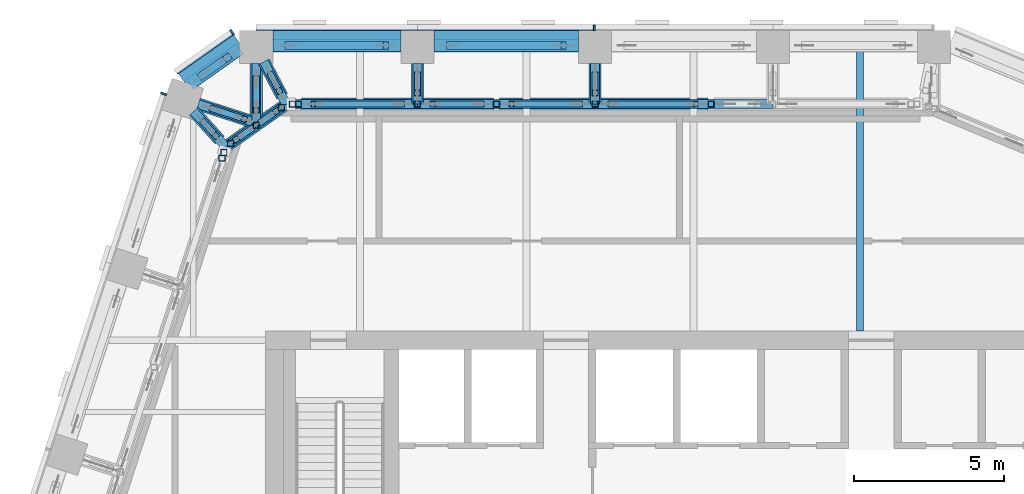
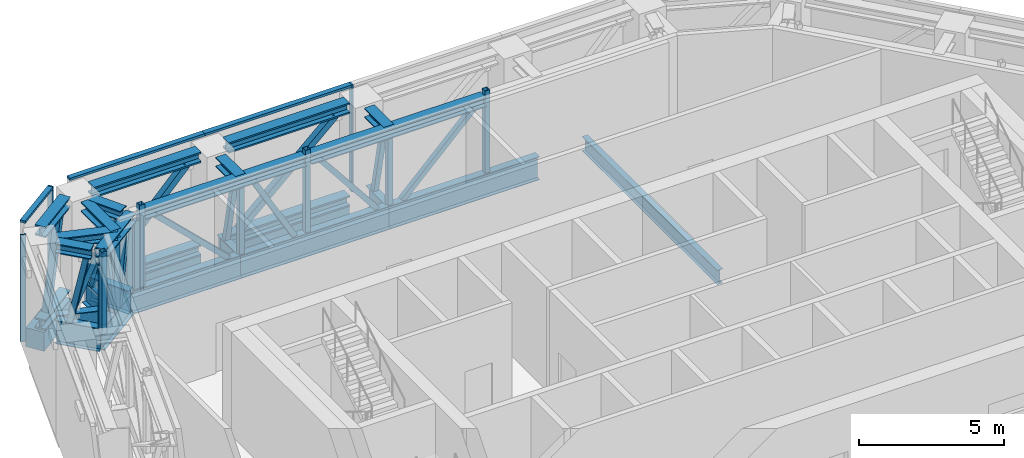
# One storey, part 12 of 25: 57 members, 4 beams, 3 elements without a shape of their own.
"""IFC4 building model written with IfcOpenShell, lengths in metres."""

import ifcopenshell
import ifcopenshell.guid

model = None  # the IFC model being written
_history = None  # IfcOwnerHistory: only IFC2X3 demands one
_inside = {}  # id of a spatial element -> (the spatial element, [elements in it])
_under = {}  # id of a project, library or spatial element -> (it, [spatial elements below it])
_declared = {}  # id of a project -> (the project, [libraries it declares])
_typed = {}  # id of a type object -> (the type object, [elements of that type])
_made_of = {}  # id of a material, layer set ... -> (it, [elements and type objects made of it])


def new_model(schema):
    """Start an empty IFC model of exactly this schema.

    Asked for "IFC4X3", IfcOpenShell would pick the latest addendum, in which some entities
    have other attributes; the version numbers below select the first issue.
    IFC2X3 requires an IfcOwnerHistory on every rooted entity: one is made here for all.
    """
    global model, _history
    if schema == "IFC4X3":
        model = ifcopenshell.file(schema_version=(4, 3, 0, 0))
    else:
        model = ifcopenshell.file(schema=schema)
    _inside.clear()
    _under.clear()
    _declared.clear()
    _typed.clear()
    _made_of.clear()
    _history = None
    if model.schema == "IFC2X3":
        org = make("IfcOrganization", Name="unknown")
        user = make(
            "IfcPersonAndOrganization",
            ThePerson=make("IfcPerson", FamilyName="unknown"),
            TheOrganization=org,
        )
        app = make(
            "IfcApplication",
            ApplicationDeveloper=org,
            Version="unknown",
            ApplicationFullName="unknown",
            ApplicationIdentifier="unknown",
        )
        _history = make(
            "IfcOwnerHistory",
            OwningUser=user,
            OwningApplication=app,
            ChangeAction="ADDED",
            CreationDate=0,
        )
    return model


def make(cls, **values):
    """One entity of the class cls with the attributes given. An attribute that is None is left unset."""
    return model.create_entity(
        cls, **{name: value for name, value in values.items() if value is not None}
    )


def rooted(cls, **values):
    """An entity with a GlobalId (a new one), such as an element, a storey or a relation."""
    return make(cls, GlobalId=ifcopenshell.guid.new(), OwnerHistory=_history, **values)


def si_unit(unit_type, name, prefix=None):
    """IfcSIUnit, for example si_unit("LENGTHUNIT", "METRE", prefix="MILLI")."""
    return make("IfcSIUnit", UnitType=unit_type, Prefix=prefix, Name=name)


def assignment(units):
    """IfcUnitAssignment: the units of a project."""
    return None if units is None else make("IfcUnitAssignment", Units=units)


def point(xyz):
    """IfcCartesianPoint."""
    return None if xyz is None else make("IfcCartesianPoint", Coordinates=xyz)


def direction(xyz):
    """IfcDirection."""
    return None if xyz is None else make("IfcDirection", DirectionRatios=xyz)


def frame(location, z_axis=None, x_axis=None):
    """IfcAxis2Placement3D, a coordinate frame: its origin and axes. An axis left out is left unset."""
    return make(
        "IfcAxis2Placement3D",
        Location=point(location),
        Axis=direction(z_axis),
        RefDirection=direction(x_axis),
    )


def frame_2d(location, x_axis=None):
    """IfcAxis2Placement2D, a coordinate frame in the plane: its origin and x axis."""
    return make(
        "IfcAxis2Placement2D", Location=point(location), RefDirection=direction(x_axis)
    )


def origin():
    """The frame at (0, 0, 0) with its axes left unset."""
    return frame((0.0, 0.0, 0.0))


def origin_2d():
    """The frame at (0, 0) in the plane with its x axis left unset."""
    return frame_2d((0.0, 0.0))


def place(relative_to, where):
    """IfcLocalPlacement: puts the frame where relative to a parent placement (None: the world)."""
    return make(
        "IfcLocalPlacement", PlacementRelTo=relative_to, RelativePlacement=where
    )


def context(
    kind, dimensions, precision=None, world=None, true_north=None, identifier=None
):
    """IfcGeometricRepresentationContext, for example the 3D "Model" context."""
    return make(
        "IfcGeometricRepresentationContext",
        ContextIdentifier=identifier,
        ContextType=kind,
        CoordinateSpaceDimension=dimensions,
        Precision=precision,
        WorldCoordinateSystem=world,
        TrueNorth=true_north,
    )


def subcontext(parent, identifier, kind, view, scale=None):
    """IfcGeometricRepresentationSubContext, for example "Body" below "Model"."""
    return make(
        "IfcGeometricRepresentationSubContext",
        ContextIdentifier=identifier,
        ContextType=kind,
        ParentContext=parent,
        TargetScale=scale,
        TargetView=view,
    )


def project(units=None, contexts=None):
    """IfcProject with its units and contexts."""
    return rooted(
        "IfcProject",
        Name="project",
        RepresentationContexts=contexts,
        UnitsInContext=assignment(units),
    )


def spatial(cls, under=None, at=None, **own):
    """A site, building, storey or space (cls), placed at a placement, below another one or the project."""
    s = rooted(cls, ObjectPlacement=at, **own)
    if under is not None:
        _under.setdefault(under.id(), (under, []))[1].append(s)
    return s


def profile(cls, at=None, kind="AREA", **sizes):
    """A parametric profile (cls). Its sizes go by their IFC names, for example OverallWidth=200.0."""
    return make(cls, ProfileType=kind, Position=at, **sizes)


def rectangle(**sizes):
    """IfcRectangleProfileDef."""
    return profile("IfcRectangleProfileDef", **sizes)


def hollow_rectangle(**sizes):
    """IfcRectangleHollowProfileDef."""
    return profile("IfcRectangleHollowProfileDef", **sizes)


def i_section(**sizes):
    """IfcIShapeProfileDef."""
    return profile("IfcIShapeProfileDef", **sizes)


def extrude(swept, where, along, depth):
    """IfcExtrudedAreaSolid: the profile swept, set in the frame where, extruded along a direction by depth."""
    return make(
        "IfcExtrudedAreaSolid",
        SweptArea=swept,
        Position=where,
        ExtrudedDirection=direction(along),
        Depth=depth,
    )


def shape(context_of_items, identifier, shape_type, items):
    """IfcShapeRepresentation: the items that make up one representation, for example the "Body"."""
    return make(
        "IfcShapeRepresentation",
        ContextOfItems=context_of_items,
        RepresentationIdentifier=identifier,
        RepresentationType=shape_type,
        Items=items,
    )


def material(Name=None, Category=None):
    """IfcMaterial."""
    return make("IfcMaterial", Name=Name, Category=Category)


def layer(
    of_material, thickness, ventilated=None, Name=None, Category=None, Priority=None
):
    """IfcMaterialLayer: one layer of a wall or slab, of a material (None: an air gap)."""
    return make(
        "IfcMaterialLayer",
        Material=of_material,
        LayerThickness=thickness,
        IsVentilated=ventilated,
        Name=Name,
        Category=Category,
        Priority=Priority,
    )


def layer_set(layers, Name=None):
    """IfcMaterialLayerSet."""
    return make("IfcMaterialLayerSet", MaterialLayers=layers, LayerSetName=Name)


def material_profile(
    of_material, cross_section, Name=None, Category=None, Priority=None
):
    """IfcMaterialProfile: a cross section and its material."""
    return make(
        "IfcMaterialProfile",
        Name=Name,
        Material=of_material,
        Profile=cross_section,
        Priority=Priority,
        Category=Category,
    )


def profile_set(profiles, Name=None, composite=None):
    """IfcMaterialProfileSet."""
    return make(
        "IfcMaterialProfileSet",
        Name=Name,
        MaterialProfiles=profiles,
        CompositeProfile=composite,
    )


def made_of(thing, what):
    """Note that an element or type object is made of a material, layer set ...; save() writes the relation."""
    if what is not None:
        _made_of.setdefault(what.id(), (what, []))[1].append(thing)
    return thing


def type_object(cls, material=None, **own):
    """A type object (cls), such as IfcWallType, which elements share."""
    return made_of(rooted(cls, **own), material)


def element(
    cls,
    number,
    at=None,
    inside=None,
    cuts=None,
    type_object=None,
    material=None,
    context=None,
    identifier="Body",
    shape_type=None,
    held_by="IfcProductDefinitionShape",
    body=None,
    shapes=None,
    **own,
):
    """One element of the class cls, such as IfcWall. Its Tag is "e" and its number.

    at: its placement. inside: the storey or other place that contains it. cuts: it is an
    opening in that element (IfcRelVoidsElement). A single representation is given by context,
    identifier, shape_type and body (its items); several are given by shapes. held_by: the class
    of the entity that holds the representations. save() writes the other relations.
    """
    e = rooted(cls, Tag="e%d" % number, ObjectPlacement=at, **own)
    if body is not None:
        shapes = [shape(context, identifier, shape_type, body)]
    if shapes is not None:
        e.Representation = make(held_by, Representations=shapes)
    if inside is not None:
        _inside.setdefault(inside.id(), (inside, []))[1].append(e)
    if cuts is not None:
        rooted(
            "IfcRelVoidsElement", RelatingBuildingElement=cuts, RelatedOpeningElement=e
        )
    if type_object is not None:
        _typed.setdefault(type_object.id(), (type_object, []))[1].append(e)
    return made_of(e, material)


def aggregate(whole, parts):
    """IfcRelAggregates: a whole, such as a stair, and the parts it consists of."""
    return rooted("IfcRelAggregates", RelatingObject=whole, RelatedObjects=parts)


def save(model, path):
    """Write the relations noted so far, then the file.

    IfcRelAggregates (storeys below a building ...), IfcRelContainedInSpatialStructure (elements
    in a storey), IfcRelDefinesByType, IfcRelAssociatesMaterial and IfcRelDeclares: one each for
    every whole, place, type object, material and project.
    """
    for whole, parts in _under.values():
        aggregate(whole, parts)
    for where, things in _inside.values():
        rooted(
            "IfcRelContainedInSpatialStructure",
            RelatedElements=things,
            RelatingStructure=where,
        )
    for kind, things in _typed.values():
        rooted("IfcRelDefinesByType", RelatedObjects=things, RelatingType=kind)
    for what, things in _made_of.values():
        rooted("IfcRelAssociatesMaterial", RelatedObjects=things, RelatingMaterial=what)
    for by, libraries in _declared.values():
        rooted("IfcRelDeclares", RelatingContext=by, RelatedDefinitions=libraries)
    model.write(path)


model = new_model("IFC4")

# Units and contexts
model_context = context("Model", 3, precision=1e-05, world=origin(), true_north=direction((0.0, 1.0)))
body_context = subcontext(model_context, "Body", "Model", "MODEL_VIEW")
ifc_project = project(units=[si_unit("LENGTHUNIT", "METRE"), si_unit("AREAUNIT", "SQUARE_METRE"), si_unit("VOLUMEUNIT", "CUBIC_METRE"), si_unit("PLANEANGLEUNIT", "RADIAN"), si_unit("MASSUNIT", "GRAM", prefix="KILO")], contexts=[model_context])

# Site, building, storey
site_placement = place(None, origin())
site = spatial("IfcSite", under=ifc_project, at=site_placement, CompositionType="ELEMENT")
building_placement = place(site_placement, origin())
building = spatial("IfcBuilding", under=site, at=building_placement, Name="Isthmus Gate Tower", CompositionType="ELEMENT")
storey_placement = place(building_placement, frame((0.0, 0.0, 256.449951171875)))
storey = spatial("IfcBuildingStorey", under=building, at=storey_placement, Name="L65", CompositionType="ELEMENT", Elevation=256.449951171875)

# Members
ifc_material_1 = material(Name="Structural steel ASTM A913 Gr 65", Category="steel")
ifc_material_profile_1 = material_profile(ifc_material_1, i_section(OverallWidth=0.416015625, OverallDepth=0.444580078125, WebThickness=0.039794921875, FlangeThickness=0.0634765625, at=origin_2d()), Name="W14X342")
ifc_profile_set_1 = profile_set([ifc_material_profile_1], Name="Structural steel ASTM A913 Gr 65")
member_type_1 = type_object("IfcMemberType", Name="BELT TRUSS CHORD W14X342", PredefinedType="CHORD", material=ifc_profile_set_1)
for number, where, z_axis, x_axis, name in (
    (1, (-17.509765625, 23.221923828125, 0.222412109375), (0.817877769394, 0.575392000579, 0.0), (-0.575392000579, 0.817877769394, 0.0), "str-belt25-L65-01"),
    (2, (-17.509765625, 23.221923828125, 4.127685546875), (0.817877769394, 0.575392000579, 0.0), (-0.575392000579, 0.817877769394, 0.0), "str-belt25-L65-02"),
):
    element("IfcMember", number, at=place(storey_placement, frame(where, z_axis=z_axis, x_axis=x_axis)), inside=storey, type_object=member_type_1, Name=name, PredefinedType="CHORD", context=body_context, shape_type="SweptSolid", body=[
        extrude(i_section(OverallWidth=0.416015625, OverallDepth=0.444580078125, WebThickness=0.039794921875, FlangeThickness=0.0634765625, at=origin_2d()), origin(), (0.0, 0.0, 1.0), 2.02783203125),
    ])
for number, where, z_axis, x_axis, name in (
    (3, (-14.751220703125, 24.5, 0.222412109375), (1.0, 0.0, 0.0), (0.0, 1.0, 0.0), "str-belt26-L65-01"),
    (4, (-14.751220703125, 24.5, 4.127685546875), (1.0, 0.0, 0.0), (0.0, 1.0, 0.0), "str-belt26-L65-02"),
):
    element("IfcMember", number, at=place(storey_placement, frame(where, z_axis=z_axis, x_axis=x_axis)), inside=storey, type_object=member_type_1, Name=name, PredefinedType="CHORD", context=body_context, shape_type="SweptSolid", body=[
        extrude(i_section(OverallWidth=0.416015625, OverallDepth=0.444580078125, WebThickness=0.039794921875, FlangeThickness=0.0634765625, at=origin_2d()), origin(), (0.0, 0.0, 1.0), 4.260498046875),
    ])
for number, where, z_axis, x_axis, name in (
    (5, (-9.390625, 24.5, 0.222412109375), (1.0, 0.0, 0.0), (0.0, 1.0, 0.0), "str-belt27-L65-01"),
    (6, (-9.390625, 24.5, 4.127685546875), (1.0, 0.0, 0.0), (0.0, 1.0, 0.0), "str-belt27-L65-02"),
):
    element("IfcMember", number, at=place(storey_placement, frame(where, z_axis=z_axis, x_axis=x_axis)), inside=storey, type_object=member_type_1, Name=name, PredefinedType="CHORD", context=body_context, shape_type="SweptSolid", body=[
        extrude(i_section(OverallWidth=0.416015625, OverallDepth=0.444580078125, WebThickness=0.039794921875, FlangeThickness=0.0634765625, at=origin_2d()), origin(), (0.0, 0.0, 1.0), 4.810546875),
    ])

# Curtain wall, member
ifc_material_2 = material(Name="Aluminium, pale champagne anodised", Category="aluminium")
ifc_layer = layer(ifc_material_2, 0.199951171875)
ifc_layer_set = layer_set([ifc_layer], Name="CW-2 LOUVRE CURTAIN WALL 200 DEEP")
curtain_wall_type = type_object("IfcCurtainWallType", Name="CW-2 LOUVRE CURTAIN WALL 200 DEEP", PredefinedType="NOTDEFINED", material=ifc_layer_set)
curtain_wall_1_placement = place(storey_placement, origin())
curtain_wall_1 = element("IfcCurtainWall", 7, at=curtain_wall_1_placement, inside=storey, type_object=curtain_wall_type, Name="CW-2 N L65", PredefinedType="NOTDEFINED")
ifc_material_3 = material(Name="Aluminium, pale champagne anodised", Category="aluminium")
ifc_material_profile_2 = material_profile(ifc_material_3, rectangle(XDim=0.06005859375, YDim=0.199951171875, at=origin_2d()), Name="60x200")
ifc_profile_set_2 = profile_set([ifc_material_profile_2], Name="Aluminium, pale champagne anodised")
member_type_2 = type_object("IfcMemberType", Name="CW-2 MULLION 60 X 200", PredefinedType="MULLION", material=ifc_profile_set_2)
member_1_placement = place(storey_placement, frame((-4.06005859375, 25.10009765625, 0.0), z_axis=(0.0, 0.0, 1.0), x_axis=(-1.0, 0.0, 0.0)))
member_1 = element("IfcMember", 8, at=member_1_placement, type_object=member_type_2, Name="CW-2 mullion", PredefinedType="MULLION", context=body_context, shape_type="SweptSolid", body=[
    extrude(rectangle(XDim=0.06005859375, YDim=0.199951171875, at=origin_2d()), origin(), (0.0, 0.0, 1.0), 4.5),
])

curtain_wall_2_placement = place(storey_placement, origin())
curtain_wall_2 = element("IfcCurtainWall", 9, at=curtain_wall_2_placement, inside=storey, type_object=curtain_wall_type, Name="CW-2 N-NW L65", PredefinedType="NOTDEFINED")
member_2_placement = place(storey_placement, frame((-16.10595703125, 24.943115234375, 0.0), z_axis=(0.0, 0.0, 1.0), x_axis=(-0.81785959165, -0.57541783805, 0.0)))
member_2 = element("IfcMember", 10, at=member_2_placement, type_object=member_type_2, Name="CW-2 mullion", PredefinedType="MULLION", context=body_context, shape_type="SweptSolid", body=[
    extrude(rectangle(XDim=0.06005859375, YDim=0.199951171875, at=origin_2d()), origin(), (0.0, 0.0, 1.0), 4.5),
])

curtain_wall_3_placement = place(storey_placement, origin())
curtain_wall_3 = element("IfcCurtainWall", 11, at=curtain_wall_3_placement, inside=storey, type_object=curtain_wall_type, Name="CW-2 NW L65", PredefinedType="NOTDEFINED")
member_3_placement = place(storey_placement, frame((-18.37841796875, 22.894287109375, 0.0), z_axis=(0.0, 0.0, 1.0), x_axis=(-0.309016994375, -0.951056516295, 0.0)))
member_3 = element("IfcMember", 12, at=member_3_placement, type_object=member_type_2, Name="CW-2 mullion", PredefinedType="MULLION", context=body_context, shape_type="SweptSolid", body=[
    extrude(rectangle(XDim=0.06005859375, YDim=0.199951171875, at=origin_2d()), origin(), (0.0, 0.0, 1.0), 4.5),
])
aggregate(curtain_wall_3, [member_3])

# Member
ifc_material_4 = material(Name="Aluminium, pale champagne anodised", Category="aluminium")
ifc_material_profile_3 = material_profile(ifc_material_4, rectangle(XDim=0.199951171875, YDim=0.10009765625, at=origin_2d()), Name="200x100")
ifc_profile_set_3 = profile_set([ifc_material_profile_3], Name="Aluminium, pale champagne anodised")
member_type_3 = type_object("IfcMemberType", Name="CW-2 TRANSOM 200 X 100", PredefinedType="USERDEFINED", material=ifc_profile_set_3)
member_4_placement = place(storey_placement, frame((-4.090087890625, 25.10009765625, 4.449951171875), z_axis=(-1.0, 0.0, 0.0), x_axis=(0.0, -1.0, 0.0)))
member_4 = element("IfcMember", 13, at=member_4_placement, type_object=member_type_3, Name="CW-2 transom", ObjectType="TRANSOM", PredefinedType="USERDEFINED", context=body_context, shape_type="SweptSolid", body=[
    extrude(rectangle(XDim=0.199951171875, YDim=0.10009765625, at=origin_2d()), origin(), (0.0, 0.0, 1.0), 5.8505859375),
])

member_5_placement = place(storey_placement, frame((-9.940673828125, 25.10009765625, 4.449951171875), z_axis=(-1.0, 0.0, 0.0), x_axis=(0.0, -1.0, 0.0)))
member_5 = element("IfcMember", 14, at=member_5_placement, type_object=member_type_3, Name="CW-2 transom", ObjectType="TRANSOM", PredefinedType="USERDEFINED", context=body_context, shape_type="SweptSolid", body=[
    extrude(rectangle(XDim=0.199951171875, YDim=0.10009765625, at=origin_2d()), origin(), (0.0, 0.0, 1.0), 5.360595703125),
])

aggregate(curtain_wall_1, [member_1, member_4, member_5])

member_6_placement = place(storey_placement, frame((-16.130615234375, 24.92578125, 4.449951171875), z_axis=(-0.817868595604, -0.575405040233, 0.0), x_axis=(0.575405040233, -0.817868595604, 0.0)))
member_6 = element("IfcMember", 15, at=member_6_placement, type_object=member_type_3, Name="CW-2 transom", ObjectType="TRANSOM", PredefinedType="USERDEFINED", context=body_context, shape_type="SweptSolid", body=[
    extrude(rectangle(XDim=0.199951171875, YDim=0.10009765625, at=origin_2d()), origin(), (0.0, 0.0, 1.0), 2.258544921875),
])

aggregate(curtain_wall_2, [member_2, member_6])

# Beams
ifc_material_5 = material(Name="Concrete f'c 50 MPa", Category="concrete")
ifc_material_profile_4 = material_profile(ifc_material_5, rectangle(XDim=0.699951171875, YDim=0.800048828125, at=origin_2d()), Name="RC 700X800")
ifc_profile_set_4 = profile_set([ifc_material_profile_4], Name="Concrete f'c 50 MPa")
beam_type_1 = type_object("IfcBeamType", Name="RC SPANDREL 700 X 800", PredefinedType="SPANDREL", material=ifc_profile_set_4)
beam_1_placement = place(storey_placement, frame((-17.68798828125, 23.27978515625, -0.39990234375), z_axis=(0.817855686701, 0.575423388237, 0.0), x_axis=(-0.575423388237, 0.817855686701, 0.0)))
element("IfcBeam", 16, at=beam_1_placement, inside=storey, type_object=beam_type_1, Name="str-spandrel-L65-25", PredefinedType="SPANDREL", context=body_context, shape_type="SweptSolid", body=[
    extrude(rectangle(XDim=0.699951171875, YDim=0.800048828125, at=origin_2d()), origin(), (0.0, 0.0, 1.0), 2.24560546875),
])
beam_2_placement = place(storey_placement, frame((-14.751220703125, 24.64990234375, -0.39990234375), z_axis=(1.0, 0.0, 0.0), x_axis=(0.0, 1.0, 0.0)))
element("IfcBeam", 17, at=beam_2_placement, inside=storey, type_object=beam_type_1, Name="str-spandrel-L65-26", PredefinedType="SPANDREL", context=body_context, shape_type="SweptSolid", body=[
    extrude(rectangle(XDim=0.699951171875, YDim=0.800048828125, at=origin_2d()), origin(), (0.0, 0.0, 1.0), 4.260498046875),
])
beam_3_placement = place(storey_placement, frame((-9.390625, 24.64990234375, -0.39990234375), z_axis=(1.0, 0.0, 0.0), x_axis=(0.0, 1.0, 0.0)))
element("IfcBeam", 18, at=beam_3_placement, inside=storey, type_object=beam_type_1, Name="str-spandrel-L65-27", PredefinedType="SPANDREL", context=body_context, shape_type="SweptSolid", body=[
    extrude(rectangle(XDim=0.699951171875, YDim=0.800048828125, at=origin_2d()), origin(), (0.0, 0.0, 1.0), 4.810546875),
])
ifc_material_6 = material(Name="Structural steel ASTM A992 Gr 50", Category="steel")
ifc_material_profile_5 = material_profile(ifc_material_6, i_section(OverallWidth=0.228515625, OverallDepth=0.603271484375, WebThickness=0.010986328125, FlangeThickness=0.014404296875, at=origin_2d()), Name="W24X68")
ifc_profile_set_5 = profile_set([ifc_material_profile_5], Name="Structural steel ASTM A992 Gr 50")
beam_type_2 = type_object("IfcBeamType", Name="STEEL FLOOR BEAM W24X68", PredefinedType="JOIST", material=ifc_profile_set_5)
beam_4_placement = place(storey_placement, frame((4.776611328125, 15.0, -0.6015625), z_axis=(0.0, 1.0, 0.0), x_axis=(-1.0, 0.0, 0.0)))
element("IfcBeam", 19, at=beam_4_placement, inside=storey, type_object=beam_type_2, Name="str-beam-L65-05-04", PredefinedType="JOIST", context=body_context, shape_type="SweptSolid", body=[
    extrude(i_section(OverallWidth=0.228515625, OverallDepth=0.603271484375, WebThickness=0.010986328125, FlangeThickness=0.014404296875, at=origin_2d()), origin(), (0.0, 0.0, 1.0), 9.300048828125),
])

# Members
ifc_material_7 = material(Name="Structural steel ASTM A913 Gr 65", Category="steel")
ifc_material_profile_6 = material_profile(ifc_material_7, i_section(OverallWidth=0.4033203125, OverallDepth=0.406494140625, WebThickness=0.027099609375, FlangeThickness=0.04443359375, at=origin_2d()), Name="W14X233")
ifc_profile_set_6 = profile_set([ifc_material_profile_6], Name="Structural steel ASTM A913 Gr 65")
member_type_4 = type_object("IfcMemberType", Name="TRANSFER TRUSS CHORD W14X233", PredefinedType="CHORD", material=ifc_profile_set_6)
member_7_placement = place(storey_placement, frame((-16.3154296875, 21.13330078125, 4.046875), z_axis=(0.81785999778, 0.575417260805, 0.0), x_axis=(-0.575417260805, 0.81785999778, 0.0)))
element("IfcMember", 20, at=member_7_placement, inside=storey, type_object=member_type_4, Name="str-ring10-L65-05", PredefinedType="CHORD", context=body_context, shape_type="SweptSolid", body=[
    extrude(i_section(OverallWidth=0.4033203125, OverallDepth=0.406494140625, WebThickness=0.027099609375, FlangeThickness=0.04443359375, at=origin_2d()), origin(), (0.0, 0.0, 1.0), 2.462158203125),
])
member_8_placement = place(storey_placement, frame((-13.800048828125, 22.550048828125, 4.046875), z_axis=(1.0, 0.0, 0.0), x_axis=(0.0, 1.0, 0.0)))
element("IfcMember", 21, at=member_8_placement, inside=storey, type_object=member_type_4, Name="str-ring11-L65-15", PredefinedType="CHORD", context=body_context, shape_type="SweptSolid", body=[
    extrude(i_section(OverallWidth=0.4033203125, OverallDepth=0.406494140625, WebThickness=0.027099609375, FlangeThickness=0.04443359375, at=origin_2d()), origin(), (0.0, 0.0, 1.0), 6.388671875),
])
member_9_placement = place(storey_placement, frame((-7.2080078125, 22.550048828125, 4.046875), z_axis=(1.0, 0.0, 0.0), x_axis=(0.0, 1.0, 0.0)))
element("IfcMember", 22, at=member_9_placement, inside=storey, type_object=member_type_4, Name="str-ring11-L65-16", PredefinedType="CHORD", context=body_context, shape_type="SweptSolid", body=[
    extrude(i_section(OverallWidth=0.4033203125, OverallDepth=0.406494140625, WebThickness=0.027099609375, FlangeThickness=0.04443359375, at=origin_2d()), origin(), (0.0, 0.0, 1.0), 6.931640625),
])
for number, where, z_axis, x_axis, name in (
    (23, (-4.030029296875, 23.89990234375, 4.046875), (0.0, -1.0, 0.0), (1.0, 0.0, 0.0), "str-link02-L65-02"),
    (24, (-9.940673828125, 23.89990234375, 4.046875), (0.0, -1.0, 0.0), (1.0, 0.0, 0.0), "str-link03-L65-02"),
):
    element("IfcMember", number, at=place(storey_placement, frame(where, z_axis=z_axis, x_axis=x_axis)), inside=storey, type_object=member_type_4, Name=name, PredefinedType="CHORD", context=body_context, shape_type="SweptSolid", body=[
        extrude(i_section(OverallWidth=0.4033203125, OverallDepth=0.406494140625, WebThickness=0.027099609375, FlangeThickness=0.04443359375, at=origin_2d()), origin(), (0.0, 0.0, 1.0), 1.349853515625),
    ])
member_10_placement = place(storey_placement, frame((-15.30126953125, 23.89990234375, 4.046875), z_axis=(0.0, -1.0, 0.0), x_axis=(1.0, 0.0, 0.0)))
element("IfcMember", 25, at=member_10_placement, inside=storey, type_object=member_type_4, Name="str-link04-L65-02", PredefinedType="CHORD", context=body_context, shape_type="SweptSolid", body=[
    extrude(i_section(OverallWidth=0.4033203125, OverallDepth=0.406494140625, WebThickness=0.027099609375, FlangeThickness=0.04443359375, at=origin_2d()), origin(), (0.0, 0.0, 1.0), 2.05322265625),
])
member_11_placement = place(storey_placement, frame((-17.22802734375, 22.552001953125, 4.046875), z_axis=(0.951043435803, -0.309057249091, 0.0), x_axis=(0.309057249091, 0.951043435803, 0.0)))
element("IfcMember", 26, at=member_11_placement, inside=storey, type_object=member_type_4, Name="str-link05-L65-02", PredefinedType="CHORD", context=body_context, shape_type="SweptSolid", body=[
    extrude(i_section(OverallWidth=0.4033203125, OverallDepth=0.406494140625, WebThickness=0.027099609375, FlangeThickness=0.04443359375, at=origin_2d()), origin(), (0.0, 0.0, 1.0), 2.106689453125),
])
member_12_placement = place(storey_placement, frame((-17.38232421875, 22.313720703125, 4.046875), z_axis=(0.67054167179, -0.74187186656, 0.0), x_axis=(0.74187186656, 0.67054167179, 0.0)))
element("IfcMember", 27, at=member_12_placement, inside=storey, type_object=member_type_4, Name="str-link40-L65-02", PredefinedType="CHORD", context=body_context, shape_type="SweptSolid", body=[
    extrude(i_section(OverallWidth=0.4033203125, OverallDepth=0.406494140625, WebThickness=0.027099609375, FlangeThickness=0.04443359375, at=origin_2d()), origin(), (0.0, 0.0, 1.0), 1.290283203125),
])
member_13_placement = place(storey_placement, frame((-15.045166015625, 23.963134765625, 4.046875), z_axis=(0.465652887903, -0.884967450242, 0.0), x_axis=(0.884967450242, 0.465652887903, 0.0)))
element("IfcMember", 28, at=member_13_placement, inside=storey, type_object=member_type_4, Name="str-link41-L65-02", PredefinedType="CHORD", context=body_context, shape_type="SweptSolid", body=[
    extrude(i_section(OverallWidth=0.4033203125, OverallDepth=0.406494140625, WebThickness=0.027099609375, FlangeThickness=0.04443359375, at=origin_2d()), origin(), (0.0, 0.0, 1.0), 1.290771484375),
])
ifc_material_8 = material(Name="Structural steel ASTM A913 Gr 65", Category="steel")
ifc_material_profile_7 = material_profile(ifc_material_8, i_section(OverallWidth=0.29833984375, OverallDepth=0.981201171875, WebThickness=0.015869140625, FlangeThickness=0.025390625, at=origin_2d()), Name="W40X167")
ifc_profile_set_7 = profile_set([ifc_material_profile_7], Name="Structural steel ASTM A913 Gr 65")
member_type_5 = type_object("IfcMemberType", Name="TRANSFER TRUSS CHORD W40X167", PredefinedType="CHORD", material=ifc_profile_set_7)
member_14_placement = place(storey_placement, frame((-16.3154296875, 21.13330078125, 0.490478515625), z_axis=(0.81785999778, 0.575417260805, 0.0), x_axis=(-0.575417260805, 0.81785999778, 0.0)))
element("IfcMember", 29, at=member_14_placement, inside=storey, type_object=member_type_5, Name="str-ring10-L65-04", PredefinedType="CHORD", context=body_context, shape_type="SweptSolid", body=[
    extrude(i_section(OverallWidth=0.29833984375, OverallDepth=0.981201171875, WebThickness=0.015869140625, FlangeThickness=0.025390625, at=origin_2d()), origin(), (0.0, 0.0, 1.0), 2.462158203125),
])
member_15_placement = place(storey_placement, frame((-14.3017578125, 22.550048828125, 0.490478515625), z_axis=(1.0, 0.0, 0.0), x_axis=(0.0, 1.0, 0.0)))
element("IfcMember", 30, at=member_15_placement, inside=storey, type_object=member_type_5, Name="str-ring11-L65-10", PredefinedType="CHORD", context=body_context, shape_type="SweptSolid", body=[
    extrude(i_section(OverallWidth=0.29833984375, OverallDepth=0.981201171875, WebThickness=0.015869140625, FlangeThickness=0.025390625, at=origin_2d()), origin(), (0.0, 0.0, 1.0), 4.361083984375),
])
member_16_placement = place(storey_placement, frame((-9.940673828125, 22.550048828125, 0.490478515625), z_axis=(1.0, 0.0, 0.0), x_axis=(0.0, 1.0, 0.0)))
element("IfcMember", 31, at=member_16_placement, inside=storey, type_object=member_type_5, Name="str-ring11-L65-11", PredefinedType="CHORD", context=body_context, shape_type="SweptSolid", body=[
    extrude(i_section(OverallWidth=0.29833984375, OverallDepth=0.981201171875, WebThickness=0.015869140625, FlangeThickness=0.025390625, at=origin_2d()), origin(), (0.0, 0.0, 1.0), 5.910888671875),
])
member_17_placement = place(storey_placement, frame((-4.02978515625, 22.550048828125, 0.490478515625), z_axis=(1.0, 0.0, 0.0), x_axis=(0.0, 1.0, 0.0)))
element("IfcMember", 32, at=member_17_placement, inside=storey, type_object=member_type_5, Name="str-ring11-L65-12", PredefinedType="CHORD", context=body_context, shape_type="SweptSolid", body=[
    extrude(i_section(OverallWidth=0.29833984375, OverallDepth=0.981201171875, WebThickness=0.015869140625, FlangeThickness=0.025390625, at=origin_2d()), origin(), (0.0, 0.0, 1.0), 5.91015625),
])
for number, where, z_axis, x_axis, name in (
    (33, (-4.030029296875, 23.89990234375, 0.490478515625), (0.0, -1.0, 0.0), (1.0, 0.0, 0.0), "str-link02-L65-01"),
    (34, (-9.940673828125, 23.89990234375, 0.490478515625), (0.0, -1.0, 0.0), (1.0, 0.0, 0.0), "str-link03-L65-01"),
):
    element("IfcMember", number, at=place(storey_placement, frame(where, z_axis=z_axis, x_axis=x_axis)), inside=storey, type_object=member_type_5, Name=name, PredefinedType="CHORD", context=body_context, shape_type="SweptSolid", body=[
        extrude(i_section(OverallWidth=0.29833984375, OverallDepth=0.981201171875, WebThickness=0.015869140625, FlangeThickness=0.025390625, at=origin_2d()), origin(), (0.0, 0.0, 1.0), 1.349853515625),
    ])
member_18_placement = place(storey_placement, frame((-15.30126953125, 23.89990234375, 0.490478515625), z_axis=(0.0, -1.0, 0.0), x_axis=(1.0, 0.0, 0.0)))
element("IfcMember", 35, at=member_18_placement, inside=storey, type_object=member_type_5, Name="str-link04-L65-01", PredefinedType="CHORD", context=body_context, shape_type="SweptSolid", body=[
    extrude(i_section(OverallWidth=0.29833984375, OverallDepth=0.981201171875, WebThickness=0.015869140625, FlangeThickness=0.025390625, at=origin_2d()), origin(), (0.0, 0.0, 1.0), 2.05322265625),
])
member_19_placement = place(storey_placement, frame((-17.22802734375, 22.552001953125, 0.490478515625), z_axis=(0.951043435803, -0.309057249091, 0.0), x_axis=(0.309057249091, 0.951043435803, 0.0)))
element("IfcMember", 36, at=member_19_placement, inside=storey, type_object=member_type_5, Name="str-link05-L65-01", PredefinedType="CHORD", context=body_context, shape_type="SweptSolid", body=[
    extrude(i_section(OverallWidth=0.29833984375, OverallDepth=0.981201171875, WebThickness=0.015869140625, FlangeThickness=0.025390625, at=origin_2d()), origin(), (0.0, 0.0, 1.0), 2.106689453125),
])
member_20_placement = place(storey_placement, frame((-17.38232421875, 22.313720703125, 0.490478515625), z_axis=(0.670531549022, -0.741881015909, 0.0), x_axis=(0.741881015909, 0.670531549022, 0.0)))
element("IfcMember", 37, at=member_20_placement, inside=storey, type_object=member_type_5, Name="str-link40-L65-01", PredefinedType="CHORD", context=body_context, shape_type="SweptSolid", body=[
    extrude(i_section(OverallWidth=0.29833984375, OverallDepth=0.981201171875, WebThickness=0.015869140625, FlangeThickness=0.025390625, at=origin_2d()), origin(), (0.0, 0.0, 1.0), 1.591064453125),
])
member_21_placement = place(storey_placement, frame((-15.045166015625, 23.963134765625, 0.490478515625), z_axis=(0.465588879232, -0.88500112742, 0.0), x_axis=(0.88500112742, 0.465588879232, 0.0)))
element("IfcMember", 38, at=member_21_placement, inside=storey, type_object=member_type_5, Name="str-link41-L65-01", PredefinedType="CHORD", context=body_context, shape_type="SweptSolid", body=[
    extrude(i_section(OverallWidth=0.29833984375, OverallDepth=0.981201171875, WebThickness=0.015869140625, FlangeThickness=0.025390625, at=origin_2d()), origin(), (0.0, 0.0, 1.0), 1.5966796875),
])
ifc_material_9 = material(Name="Structural steel ASTM A500 Gr C", Category="steel")
ifc_material_profile_8 = material_profile(ifc_material_9, hollow_rectangle(XDim=0.203125, YDim=0.203125, WallThickness=0.01171875, at=origin_2d()), Name="HSS8X8X1/2")
ifc_profile_set_8 = profile_set([ifc_material_profile_8], Name="Structural steel ASTM A500 Gr C")
member_type_6 = type_object("IfcMemberType", Name="TRANSFER TRUSS DIAGONAL HSS8X8X1/2", PredefinedType="BRACE", material=ifc_profile_set_8)
for number, where, z_axis, x_axis, name in (
    (39, (-15.481201171875, 21.72021484375, 0.981201171875), (-0.167782718461, -0.118032220847, 0.978732524354), (0.575372446457, -0.817891525728, 0.0), "str-ring10-L65-06"),
    (40, (-15.128662109375, 21.96826171875, 0.981201171875), (0.167782718461, 0.118032220847, 0.978732524354), (-0.575372446457, 0.817891525728, 0.0), "str-ring10-L65-07"),
):
    element("IfcMember", number, at=place(storey_placement, frame(where, z_axis=z_axis, x_axis=x_axis)), inside=storey, type_object=member_type_6, Name=name, PredefinedType="BRACE", context=body_context, shape_type="SweptSolid", body=[
        extrude(hollow_rectangle(XDim=0.203125, YDim=0.203125, WallThickness=0.01171875, at=origin_2d()), origin(), (0.0, 0.0, 1.0), 2.9248046875),
    ])
member_22_placement = place(storey_placement, frame((-10.440673828125, 22.550048828125, 0.981201171875), z_axis=(-0.718950852409, 0.0, 0.69506091231), x_axis=(0.0, -1.0, 0.0)))
element("IfcMember", 41, at=member_22_placement, inside=storey, type_object=member_type_6, Name="str-ring11-L65-19", PredefinedType="BRACE", context=body_context, shape_type="SweptSolid", body=[
    extrude(hollow_rectangle(XDim=0.203125, YDim=0.203125, WallThickness=0.01171875, at=origin_2d()), origin(), (0.0, 0.0, 1.0), 4.118408203125),
])
member_23_placement = place(storey_placement, frame((-7.809814453125, 22.550048828125, 0.981201171875), z_axis=(-0.495021252523, 0.0, 0.868880866143), x_axis=(0.0, -1.0, 0.0)))
element("IfcMember", 42, at=member_23_placement, inside=storey, type_object=member_type_6, Name="str-ring11-L65-20", PredefinedType="BRACE", context=body_context, shape_type="SweptSolid", body=[
    extrude(hollow_rectangle(XDim=0.203125, YDim=0.203125, WallThickness=0.01171875, at=origin_2d()), origin(), (0.0, 0.0, 1.0), 3.29443359375),
])
member_24_placement = place(storey_placement, frame((-4.52978515625, 22.550048828125, 0.981201171875), z_axis=(-0.623025816136, 0.0, 0.782201273604), x_axis=(0.0, -1.0, 0.0)))
element("IfcMember", 43, at=member_24_placement, inside=storey, type_object=member_type_6, Name="str-ring11-L65-21", PredefinedType="BRACE", context=body_context, shape_type="SweptSolid", body=[
    extrude(hollow_rectangle(XDim=0.203125, YDim=0.203125, WallThickness=0.01171875, at=origin_2d()), origin(), (0.0, 0.0, 1.0), 3.65966796875),
])
member_25_placement = place(storey_placement, frame((-3.52978515625, 22.550048828125, 0.981201171875), z_axis=(0.706170157117, 0.0, 0.708042166256), x_axis=(0.0, 1.0, 0.0)))
element("IfcMember", 44, at=member_25_placement, inside=storey, type_object=member_type_6, Name="str-ring11-L65-22", PredefinedType="BRACE", context=body_context, shape_type="SweptSolid", body=[
    extrude(hollow_rectangle(XDim=0.203125, YDim=0.203125, WallThickness=0.01171875, at=origin_2d()), origin(), (0.0, 0.0, 1.0), 4.04296875),
])
for number, where, z_axis, x_axis, name in (
    (45, (-4.030029296875, 23.52490234375, 0.981201171875), (0.0, -0.205097483093, 0.978741550374), (1.0, 0.0, 0.0), "str-link02-L65-03"),
    (46, (-9.940673828125, 23.52490234375, 0.981201171875), (0.0, -0.205097483093, 0.978741550374), (1.0, 0.0, 0.0), "str-link03-L65-03"),
):
    element("IfcMember", number, at=place(storey_placement, frame(where, z_axis=z_axis, x_axis=x_axis)), inside=storey, type_object=member_type_6, Name=name, PredefinedType="BRACE", context=body_context, shape_type="SweptSolid", body=[
        extrude(hollow_rectangle(XDim=0.203125, YDim=0.203125, WallThickness=0.01171875, at=origin_2d()), origin(), (0.0, 0.0, 1.0), 2.9248046875),
    ])
member_26_placement = place(storey_placement, frame((-15.30126953125, 23.39990234375, 0.981201171875), z_axis=(0.0, -0.345301017224, 0.93849198585), x_axis=(1.0, 0.0, 0.0)))
element("IfcMember", 47, at=member_26_placement, inside=storey, type_object=member_type_6, Name="str-link04-L65-03", PredefinedType="BRACE", context=body_context, shape_type="SweptSolid", body=[
    extrude(hollow_rectangle(XDim=0.203125, YDim=0.203125, WallThickness=0.01171875, at=origin_2d()), origin(), (0.0, 0.0, 1.0), 3.050048828125),
])
member_27_placement = place(storey_placement, frame((-16.75244140625, 22.3974609375, 0.981201171875), z_axis=(0.343009817158, -0.111446371484, 0.932697148927), x_axis=(0.309006275216, 0.951059999094, 0.0)))
element("IfcMember", 48, at=member_27_placement, inside=storey, type_object=member_type_6, Name="str-link05-L65-03", PredefinedType="BRACE", context=body_context, shape_type="SweptSolid", body=[
    extrude(hollow_rectangle(XDim=0.203125, YDim=0.203125, WallThickness=0.01171875, at=origin_2d()), origin(), (0.0, 0.0, 1.0), 3.069091796875),
])
for number, where, z_axis, x_axis, name in (
    (49, (-17.050048828125, 21.946044921875, 0.981201171875), (0.137565260388, -0.152173221898, 0.978733421148), (0.741815282023, 0.670604270309, 0.0), "str-link40-L65-03"),
    (50, (-14.813232421875, 23.522216796875, 0.981201171875), (0.095577000481, -0.181554564233, 0.978725179601), (0.884874092742, 0.465830269512, 0.0), "str-link41-L65-03"),
):
    element("IfcMember", number, at=place(storey_placement, frame(where, z_axis=z_axis, x_axis=x_axis)), inside=storey, type_object=member_type_6, Name=name, PredefinedType="BRACE", context=body_context, shape_type="SweptSolid", body=[
        extrude(hollow_rectangle(XDim=0.203125, YDim=0.203125, WallThickness=0.01171875, at=origin_2d()), origin(), (0.0, 0.0, 1.0), 2.9248046875),
    ])
ifc_material_10 = material(Name="Structural steel ASTM A500 Gr C", Category="steel")
ifc_material_profile_9 = material_profile(ifc_material_10, hollow_rectangle(XDim=0.203125, YDim=0.203125, WallThickness=0.01171875, at=origin_2d()), Name="HSS8X8X1/2")
ifc_profile_set_9 = profile_set([ifc_material_profile_9], Name="Structural steel ASTM A500 Gr C")
member_type_7 = type_object("IfcMemberType", Name="TRANSFER TRUSS POST HSS8X8X1/2", PredefinedType="POST", material=ifc_profile_set_9)
member_28_placement = place(storey_placement, frame((-16.43896484375, 20.7529296875, 0.981201171875), z_axis=(0.0, 0.0, 1.0), x_axis=(1.0, 0.0, 0.0)))
element("IfcMember", 51, at=member_28_placement, inside=storey, type_object=member_type_7, Name="str-ring09-L65-08", PredefinedType="POST", context=body_context, shape_type="SweptSolid", body=[
    extrude(hollow_rectangle(XDim=0.203125, YDim=0.203125, WallThickness=0.01171875, at=origin_2d()), origin(), (0.0, 0.0, 1.0), 3.46875),
])
for number, where, z_axis, x_axis, name in (
    (52, (-16.377197265625, 20.943115234375, 0.981201171875), (0.0, 0.0, 1.0), (1.0, 0.0, 0.0), "str-ring09-L65-09"),
    (53, (-16.15185546875, 21.248291015625, 0.981201171875), (0.0, 0.0, 1.0), (1.0, 0.0, 0.0), "str-ring10-L65-01"),
    (54, (-15.30126953125, 21.8466796875, 0.981201171875), (0.0, 0.0, 1.0), (1.0, 0.0, 0.0), "str-ring10-L65-02"),
    (55, (-14.46533203125, 22.434814453125, 0.981201171875), (0.0, 0.0, 1.0), (1.0, 0.0, 0.0), "str-ring10-L65-03"),
    (56, (-14.101806640625, 22.550048828125, 0.981201171875), (0.0, 0.0, 1.0), (1.0, 0.0, 0.0), "str-ring11-L65-01"),
):
    element("IfcMember", number, at=place(storey_placement, frame(where, z_axis=z_axis, x_axis=x_axis)), inside=storey, type_object=member_type_7, Name=name, PredefinedType="POST", context=body_context, shape_type="SweptSolid", body=[
        extrude(hollow_rectangle(XDim=0.203125, YDim=0.203125, WallThickness=0.01171875, at=origin_2d()), origin(), (0.0, 0.0, 1.0), 2.862548828125),
    ])
member_29_placement = place(storey_placement, frame((-13.901611328125, 22.550048828125, 0.981201171875), z_axis=(0.0, 0.0, 1.0), x_axis=(1.0, 0.0, 0.0)))
element("IfcMember", 57, at=member_29_placement, inside=storey, type_object=member_type_7, Name="str-ring11-L65-02", PredefinedType="POST", context=body_context, shape_type="SweptSolid", body=[
    extrude(hollow_rectangle(XDim=0.203125, YDim=0.203125, WallThickness=0.01171875, at=origin_2d()), origin(), (0.0, 0.0, 1.0), 3.46875),
])
member_30_placement = place(storey_placement, frame((-9.940673828125, 22.550048828125, 0.981201171875), z_axis=(0.0, 0.0, 1.0), x_axis=(1.0, 0.0, 0.0)))
element("IfcMember", 58, at=member_30_placement, inside=storey, type_object=member_type_7, Name="str-ring11-L65-03", PredefinedType="POST", context=body_context, shape_type="SweptSolid", body=[
    extrude(hollow_rectangle(XDim=0.203125, YDim=0.203125, WallThickness=0.01171875, at=origin_2d()), origin(), (0.0, 0.0, 1.0), 2.862548828125),
])
member_31_placement = place(storey_placement, frame((-7.309814453125, 22.550048828125, 0.981201171875), z_axis=(0.0, 0.0, 1.0), x_axis=(1.0, 0.0, 0.0)))
element("IfcMember", 59, at=member_31_placement, inside=storey, type_object=member_type_7, Name="str-ring11-L65-04", PredefinedType="POST", context=body_context, shape_type="SweptSolid", body=[
    extrude(hollow_rectangle(XDim=0.203125, YDim=0.203125, WallThickness=0.01171875, at=origin_2d()), origin(), (0.0, 0.0, 1.0), 3.46875),
])
member_32_placement = place(storey_placement, frame((-4.02978515625, 22.550048828125, 0.981201171875), z_axis=(0.0, 0.0, 1.0), x_axis=(1.0, 0.0, 0.0)))
element("IfcMember", 60, at=member_32_placement, inside=storey, type_object=member_type_7, Name="str-ring11-L65-05", PredefinedType="POST", context=body_context, shape_type="SweptSolid", body=[
    extrude(hollow_rectangle(XDim=0.203125, YDim=0.203125, WallThickness=0.01171875, at=origin_2d()), origin(), (0.0, 0.0, 1.0), 2.862548828125),
])
member_33_placement = place(storey_placement, frame((-0.1748046875, 22.550048828125, 0.981201171875), z_axis=(0.0, 0.0, 1.0), x_axis=(1.0, 0.0, 0.0)))
element("IfcMember", 61, at=member_33_placement, inside=storey, type_object=member_type_7, Name="str-ring11-L65-06", PredefinedType="POST", context=body_context, shape_type="SweptSolid", body=[
    extrude(hollow_rectangle(XDim=0.203125, YDim=0.203125, WallThickness=0.01171875, at=origin_2d()), origin(), (0.0, 0.0, 1.0), 3.46875),
])
ifc_material_11 = material(Name="Structural steel ASTM A500 Gr C", Category="steel")
ifc_material_profile_10 = material_profile(ifc_material_11, hollow_rectangle(XDim=0.25390625, YDim=0.25390625, WallThickness=0.01171875, at=origin_2d()), Name="HSS10X10X1/2")
ifc_profile_set_10 = profile_set([ifc_material_profile_10], Name="Structural steel ASTM A500 Gr C")
member_type_8 = type_object("IfcMemberType", Name="TRUSS DIAGONAL HSS10X10X1/2", PredefinedType="BRACE", material=ifc_profile_set_10)
member_34_placement = place(storey_placement, frame((-17.100830078125, 23.509521484375, 0.444580078125), z_axis=(0.232826911001, 0.163783554588, 0.958627444193), x_axis=(-0.575358057362, 0.817901648017, 0.0)))
element("IfcMember", 62, at=member_34_placement, inside=storey, type_object=member_type_8, Name="str-belt25-L65-03", PredefinedType="BRACE", context=body_context, shape_type="SweptSolid", body=[
    extrude(hollow_rectangle(XDim=0.25390625, YDim=0.25390625, WallThickness=0.01171875, at=origin_2d()), origin(), (0.0, 0.0, 1.0), 3.6103515625),
])
member_35_placement = place(storey_placement, frame((-14.251220703125, 24.5, 0.444580078125), z_axis=(0.685715368569, 0.0, 0.727869791452), x_axis=(0.0, 1.0, 0.0)))
element("IfcMember", 63, at=member_35_placement, inside=storey, type_object=member_type_8, Name="str-belt26-L65-03", PredefinedType="BRACE", context=body_context, shape_type="SweptSolid", body=[
    extrude(hollow_rectangle(XDim=0.25390625, YDim=0.25390625, WallThickness=0.01171875, at=origin_2d()), origin(), (0.0, 0.0, 1.0), 4.7548828125),
])
member_36_placement = place(storey_placement, frame((-8.890625, 24.5, 0.444580078125), z_axis=(0.740249025429, 0.0, 0.672332789882), x_axis=(0.0, 1.0, 0.0)))
element("IfcMember", 64, at=member_36_placement, inside=storey, type_object=member_type_8, Name="str-belt27-L65-03", PredefinedType="BRACE", context=body_context, shape_type="SweptSolid", body=[
    extrude(hollow_rectangle(XDim=0.25390625, YDim=0.25390625, WallThickness=0.01171875, at=origin_2d()), origin(), (0.0, 0.0, 1.0), 5.147705078125),
])

save(model, "model.ifc")
